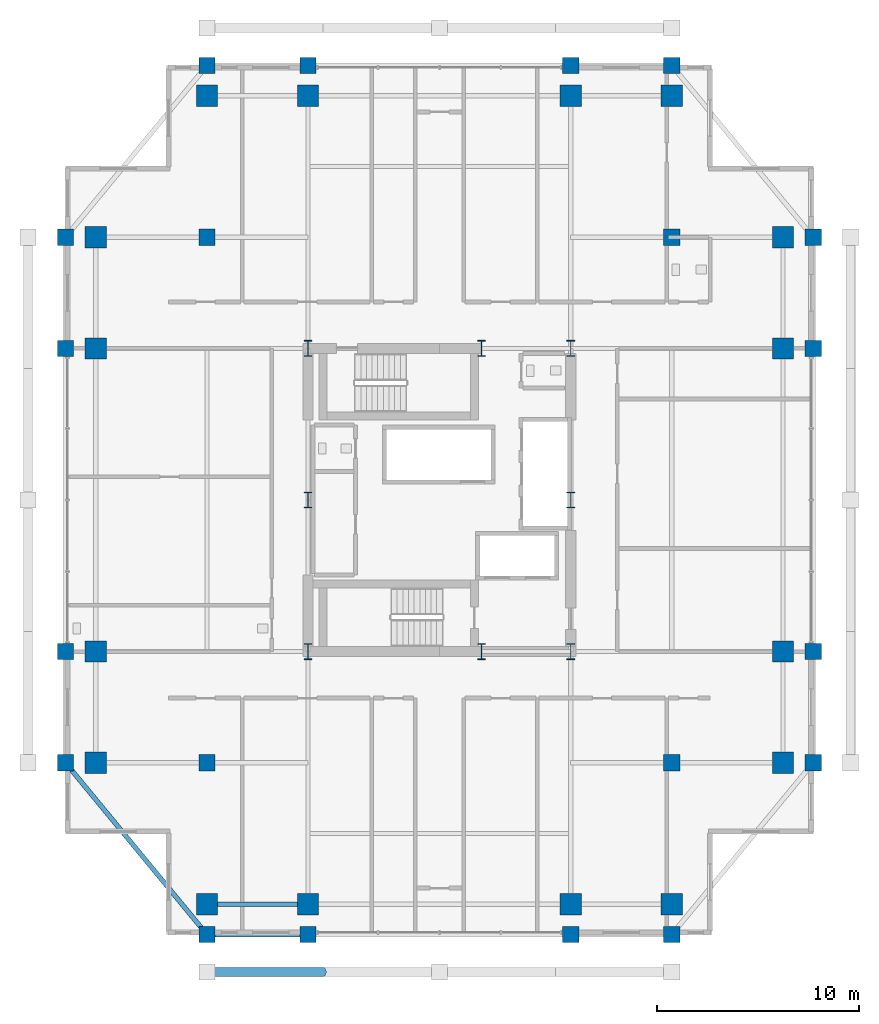
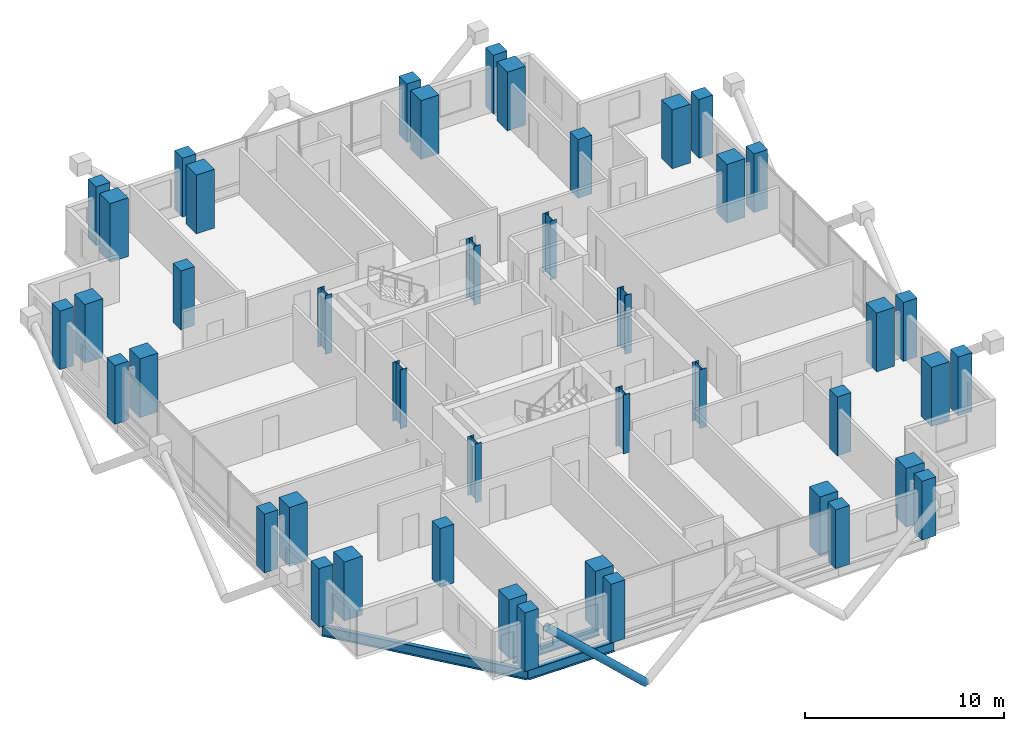
# One storey, part 1 of 23: 44 columns, 3 beams, 1 member.
"""IFC4 building model written with IfcOpenShell, lengths in metres."""

from ifc_helpers import new_model, si_unit, direction, frame, origin, origin_2d, place, context, subcontext, project, spatial, rectangle, hollow_circle, i_section, extrude, material, material_profile, profile_set, type_object, element, save


model = new_model("IFC4")

# Units and contexts
model_context = context("Model", 3, precision=1e-05, world=origin(), true_north=direction((0.0, 1.0)))
body_context = subcontext(model_context, "Body", "Model", "MODEL_VIEW")
ifc_project = project(units=[si_unit("LENGTHUNIT", "METRE"), si_unit("AREAUNIT", "SQUARE_METRE"), si_unit("VOLUMEUNIT", "CUBIC_METRE"), si_unit("PLANEANGLEUNIT", "RADIAN"), si_unit("MASSUNIT", "GRAM", prefix="KILO")], contexts=[model_context])

# Site, building, storey
site_placement = place(None, origin())
site = spatial("IfcSite", under=ifc_project, at=site_placement, CompositionType="ELEMENT")
building_placement = place(site_placement, origin())
building = spatial("IfcBuilding", under=site, at=building_placement, Name="Barlavira Tower and Art Museum", CompositionType="ELEMENT")
storey_placement = place(building_placement, frame((0.0, 0.0, 205.199951171875)))
storey = spatial("IfcBuildingStorey", under=building, at=storey_placement, Name="L53", CompositionType="ELEMENT", Elevation=205.199951171875)

# Columns
ifc_material_1 = material(Name="Steel S355", Category="steel")
ifc_material_profile_1 = material_profile(ifc_material_1, i_section(OverallWidth=0.382080078125, OverallDepth=0.785888671875, WebThickness=0.02001953125, FlangeThickness=0.032958984375, at=origin_2d()), Name="W760x314.0")
ifc_profile_set_1 = profile_set([ifc_material_profile_1], Name="Steel S355")
column_type_1 = type_object("IfcColumnType", Name="Core Composite Column W760x314 Steel S355", PredefinedType="COLUMN", material=ifc_profile_set_1)
for number, where, z_axis, x_axis, name in (
    (1, (-6.5, -7.5, 0.0), (0.0, 0.0, 1.0), (1.0, 0.0, 0.0), "L53 Column CC-L53-C1"),
    (2, (2.080078125, -7.5, 0.0), (0.0, 0.0, 1.0), (1.0, 0.0, 0.0), "L53 Column CC-L53-C2"),
    (3, (6.5, -7.5, 0.0), (0.0, 0.0, 1.0), (1.0, 0.0, 0.0), "L53 Column CC-L53-C3"),
    (4, (-6.5, 0.0, 0.0), (0.0, 0.0, 1.0), (1.0, 0.0, 0.0), "L53 Column CC-L53-C4"),
    (5, (6.5, 0.0, 0.0), (0.0, 0.0, 1.0), (1.0, 0.0, 0.0), "L53 Column CC-L53-C5"),
    (6, (-6.5, 7.5, 0.0), (0.0, 0.0, 1.0), (1.0, 0.0, 0.0), "L53 Column CC-L53-C6"),
    (7, (2.080078125, 7.5, 0.0), (0.0, 0.0, 1.0), (1.0, 0.0, 0.0), "L53 Column CC-L53-C7"),
    (8, (6.5, 7.5, 0.0), (0.0, 0.0, 1.0), (1.0, 0.0, 0.0), "L53 Column CC-L53-C8"),
):
    element("IfcColumn", number, at=place(storey_placement, frame(where, z_axis=z_axis, x_axis=x_axis)), inside=storey, type_object=column_type_1, Name=name, PredefinedType="COLUMN", context=body_context, shape_type="SweptSolid", body=[
        extrude(i_section(OverallWidth=0.382080078125, OverallDepth=0.785888671875, WebThickness=0.02001953125, FlangeThickness=0.032958984375, at=origin_2d()), origin(), (0.0, 0.0, 1.0), 3.60009765625),
    ])
ifc_material_2 = material(Name="Concrete C55", Category="concrete")
ifc_material_profile_2 = material_profile(ifc_material_2, rectangle(XDim=1.050048828125, YDim=1.050048828125, at=origin_2d()), Name="RC-COL 1050x1050")
ifc_profile_set_2 = profile_set([ifc_material_profile_2], Name="Concrete C55")
column_type_2 = type_object("IfcColumnType", Name="Perimeter Mega Column 1050x1050 Concrete C55", PredefinedType="USERDEFINED", material=ifc_profile_set_2)
for number, where, z_axis, x_axis, name in (
    (9, (-11.5, -20.0, 0.0), (0.0, 0.0, 1.0), (1.0, 0.0, 0.0), "L53 Column MC-L53-M01"),
    (10, (-6.5, -20.0, 0.0), (0.0, 0.0, 1.0), (1.0, 0.0, 0.0), "L53 Column MC-L53-M02"),
    (11, (6.5, -20.0, 0.0), (0.0, 0.0, 1.0), (1.0, 0.0, 0.0), "L53 Column MC-L53-M03"),
    (12, (11.5, -20.0, 0.0), (0.0, 0.0, 1.0), (1.0, 0.0, 0.0), "L53 Column MC-L53-M04"),
    (13, (17.0, -13.0, 0.0), (0.0, 0.0, 1.0), (1.0, 0.0, 0.0), "L53 Column MC-L53-M05"),
    (14, (17.0, -7.5, 0.0), (0.0, 0.0, 1.0), (1.0, 0.0, 0.0), "L53 Column MC-L53-M06"),
    (15, (17.0, 7.5, 0.0), (0.0, 0.0, 1.0), (1.0, 0.0, 0.0), "L53 Column MC-L53-M07"),
    (16, (17.0, 13.0, 0.0), (0.0, 0.0, 1.0), (1.0, 0.0, 0.0), "L53 Column MC-L53-M08"),
    (17, (11.5, 20.0, 0.0), (0.0, 0.0, 1.0), (1.0, 0.0, 0.0), "L53 Column MC-L53-M09"),
    (18, (6.5, 20.0, 0.0), (0.0, 0.0, 1.0), (1.0, 0.0, 0.0), "L53 Column MC-L53-M10"),
    (19, (-6.5, 20.0, 0.0), (0.0, 0.0, 1.0), (1.0, 0.0, 0.0), "L53 Column MC-L53-M11"),
    (20, (-11.5, 20.0, 0.0), (0.0, 0.0, 1.0), (1.0, 0.0, 0.0), "L53 Column MC-L53-M12"),
    (21, (-17.0, 13.0, 0.0), (0.0, 0.0, 1.0), (1.0, 0.0, 0.0), "L53 Column MC-L53-M13"),
    (22, (-17.0, 7.5, 0.0), (0.0, 0.0, 1.0), (1.0, 0.0, 0.0), "L53 Column MC-L53-M14"),
    (23, (-17.0, -7.5, 0.0), (0.0, 0.0, 1.0), (1.0, 0.0, 0.0), "L53 Column MC-L53-M15"),
    (24, (-17.0, -13.0, 0.0), (0.0, 0.0, 1.0), (1.0, 0.0, 0.0), "L53 Column MC-L53-M16"),
):
    element("IfcColumn", number, at=place(storey_placement, frame(where, z_axis=z_axis, x_axis=x_axis)), inside=storey, type_object=column_type_2, Name=name, ObjectType="MEGA COLUMN", PredefinedType="USERDEFINED", context=body_context, shape_type="SweptSolid", body=[
        extrude(rectangle(XDim=1.050048828125, YDim=1.050048828125, at=origin_2d()), origin(), (0.0, 0.0, 1.0), 3.60009765625),
    ])
ifc_material_3 = material(Name="Concrete C50", Category="concrete")
ifc_material_profile_3 = material_profile(ifc_material_3, rectangle(XDim=0.800048828125, YDim=0.800048828125, at=origin_2d()), Name="RC-COL 800x800")
ifc_profile_set_3 = profile_set([ifc_material_profile_3], Name="Concrete C50")
column_type_3 = type_object("IfcColumnType", Name="Podium Frame Column 800x800 Concrete C50", PredefinedType="COLUMN", material=ifc_profile_set_3)
for number, where, z_axis, x_axis, name in (
    (25, (-11.5, -13.0, 0.0), (0.0, 0.0, 1.0), (1.0, 0.0, 0.0), "L53 Column CI-L53-I1"),
    (26, (11.5, -13.0, 0.0), (0.0, 0.0, 1.0), (1.0, 0.0, 0.0), "L53 Column CI-L53-I2"),
    (27, (-11.5, 13.0, 0.0), (0.0, 0.0, 1.0), (1.0, 0.0, 0.0), "L53 Column CI-L53-I3"),
    (28, (11.5, 13.0, 0.0), (0.0, 0.0, 1.0), (1.0, 0.0, 0.0), "L53 Column CI-L53-I4"),
    (29, (-11.5, -21.5, 0.0), (0.0, 0.0, 1.0), (1.0, 0.0, 0.0), "L53 Column CZ3-L53-N01"),
    (30, (-6.5, -21.5, 0.0), (0.0, 0.0, 1.0), (1.0, 0.0, 0.0), "L53 Column CZ3-L53-N02"),
    (31, (6.5, -21.5, 0.0), (0.0, 0.0, 1.0), (1.0, 0.0, 0.0), "L53 Column CZ3-L53-N02B"),
    (32, (11.5, -21.5, 0.0), (0.0, 0.0, 1.0), (1.0, 0.0, 0.0), "L53 Column CZ3-L53-N03"),
    (33, (-18.5, -13.0, 0.0), (0.0, 0.0, 1.0), (1.0, 0.0, 0.0), "L53 Column CZ3-L53-N04"),
    (34, (-18.5, -7.5, 0.0), (0.0, 0.0, 1.0), (1.0, 0.0, 0.0), "L53 Column CZ3-L53-N05"),
    (35, (-18.5, 7.5, 0.0), (0.0, 0.0, 1.0), (1.0, 0.0, 0.0), "L53 Column CZ3-L53-N05B"),
    (36, (-18.5, 13.0, 0.0), (0.0, 0.0, 1.0), (1.0, 0.0, 0.0), "L53 Column CZ3-L53-N06"),
    (37, (-11.5, 21.5, 0.0), (0.0, 0.0, 1.0), (1.0, 0.0, 0.0), "L53 Column CZ3-L53-N07"),
    (38, (-6.5, 21.5, 0.0), (0.0, 0.0, 1.0), (1.0, 0.0, 0.0), "L53 Column CZ3-L53-N08"),
    (39, (6.5, 21.5, 0.0), (0.0, 0.0, 1.0), (1.0, 0.0, 0.0), "L53 Column CZ3-L53-N08B"),
    (40, (11.5, 21.5, 0.0), (0.0, 0.0, 1.0), (1.0, 0.0, 0.0), "L53 Column CZ3-L53-N09"),
    (41, (18.5, -13.0, 0.0), (0.0, 0.0, 1.0), (1.0, 0.0, 0.0), "L53 Column CZ3-L53-N10"),
    (42, (18.5, -7.5, 0.0), (0.0, 0.0, 1.0), (1.0, 0.0, 0.0), "L53 Column CZ3-L53-N11"),
    (43, (18.5, 7.5, 0.0), (0.0, 0.0, 1.0), (1.0, 0.0, 0.0), "L53 Column CZ3-L53-N11B"),
    (44, (18.5, 13.0, 0.0), (0.0, 0.0, 1.0), (1.0, 0.0, 0.0), "L53 Column CZ3-L53-N12"),
):
    element("IfcColumn", number, at=place(storey_placement, frame(where, z_axis=z_axis, x_axis=x_axis)), inside=storey, type_object=column_type_3, Name=name, PredefinedType="COLUMN", context=body_context, shape_type="SweptSolid", body=[
        extrude(rectangle(XDim=0.800048828125, YDim=0.800048828125, at=origin_2d()), origin(), (0.0, 0.0, 1.0), 3.60009765625),
    ])

# Member
ifc_material_profile_4 = material_profile(ifc_material_1, hollow_circle(Radius=0.228515625, WallThickness=0.02001953125, at=origin_2d()), Name="CHS 457.0x20.0")
ifc_profile_set_4 = profile_set([ifc_material_profile_4], Name="Steel S355")
member_type = type_object("IfcMemberType", Name="Pale-Metal Exoskeleton Diagrid Tube CHS 457x20 Steel S355", PredefinedType="BRACE", material=ifc_profile_set_4)
member_placement = place(storey_placement, frame((-5.75, -23.35009765625, -1.919921875), z_axis=(-0.728950095515, 0.0, 0.684566839869), x_axis=(0.0, -1.0, 0.0)))
element("IfcMember", 45, at=member_placement, inside=storey, type_object=member_type, Name="L53 Exoskeleton Diagrid Tube S", PredefinedType="BRACE", context=body_context, shape_type="SweptSolid", body=[
    extrude(hollow_circle(Radius=0.228515625, WallThickness=0.02001953125, at=origin_2d()), origin(), (0.0, 0.0, 1.0), 7.887939453125),
])

# Beams
ifc_material_profile_5 = material_profile(ifc_material_1, i_section(OverallWidth=0.22998046875, OverallDepth=0.616943359375, WebThickness=0.01318359375, FlangeThickness=0.022216796875, at=origin_2d()), Name="W610x140.0")
ifc_profile_set_5 = profile_set([ifc_material_profile_5], Name="Steel S355")
beam_type_1 = type_object("IfcBeamType", Name="Upper Shaft Spandrel Edge Beam W610x140 Steel S355", PredefinedType="SPANDREL", material=ifc_profile_set_5)
beam_1_placement = place(storey_placement, frame((-11.5, -21.5, -0.528564453125), z_axis=(1.0, 0.0, 0.0), x_axis=(0.0, 1.0, 0.0)))
element("IfcBeam", 46, at=beam_1_placement, inside=storey, type_object=beam_type_1, Name="L53 Spandrel 1", PredefinedType="SPANDREL", context=body_context, shape_type="SweptSolid", body=[
    extrude(i_section(OverallWidth=0.22998046875, OverallDepth=0.616943359375, WebThickness=0.01318359375, FlangeThickness=0.022216796875, at=origin_2d()), origin(), (0.0, 0.0, 1.0), 5.0),
])
beam_2_placement = place(storey_placement, frame((-18.5, -13.0, -0.528564453125), z_axis=(0.635707252861, -0.771930235617, 0.0), x_axis=(0.771930235617, 0.635707252861, 0.0)))
element("IfcBeam", 47, at=beam_2_placement, inside=storey, type_object=beam_type_1, Name="L53 Spandrel 16", PredefinedType="SPANDREL", context=body_context, shape_type="SweptSolid", body=[
    extrude(i_section(OverallWidth=0.22998046875, OverallDepth=0.616943359375, WebThickness=0.01318359375, FlangeThickness=0.022216796875, at=origin_2d()), origin(), (0.0, 0.0, 1.0), 11.011474609375),
])
ifc_material_profile_6 = material_profile(ifc_material_1, i_section(OverallWidth=0.2109375, OverallDepth=0.5390625, WebThickness=0.01171875, FlangeThickness=0.018798828125, at=origin_2d()), Name="W530x109.0")
ifc_profile_set_6 = profile_set([ifc_material_profile_6], Name="Steel S355")
beam_type_2 = type_object("IfcBeamType", Name="Zone 3-4 Primary Floor Girder W530x109 Steel S355", PredefinedType="BEAM", material=ifc_profile_set_6)
beam_3_placement = place(storey_placement, frame((-11.5, -20.0, -0.489501953125), z_axis=(1.0, 0.0, 0.0), x_axis=(0.0, 1.0, 0.0)))
element("IfcBeam", 48, at=beam_3_placement, inside=storey, type_object=beam_type_2, Name="L53 Girder M-S1", PredefinedType="BEAM", context=body_context, shape_type="SweptSolid", body=[
    extrude(i_section(OverallWidth=0.2109375, OverallDepth=0.5390625, WebThickness=0.01171875, FlangeThickness=0.018798828125, at=origin_2d()), origin(), (0.0, 0.0, 1.0), 5.0),
])

save(model, "model.ifc")
